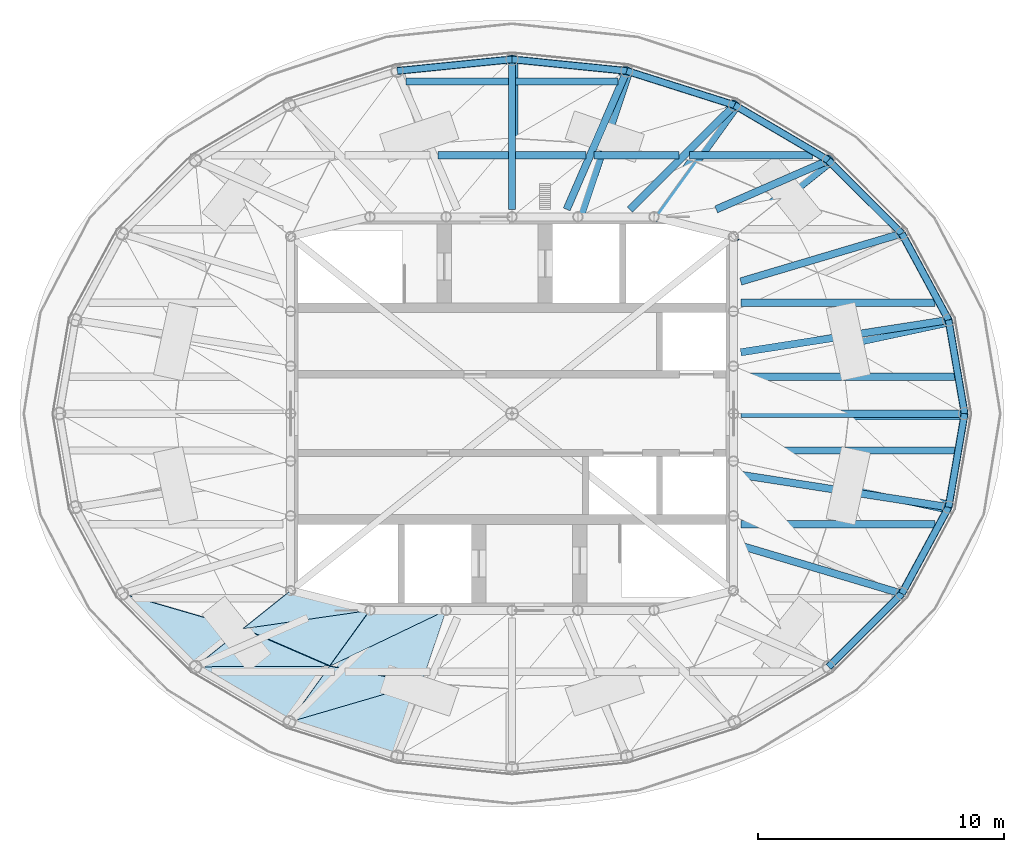
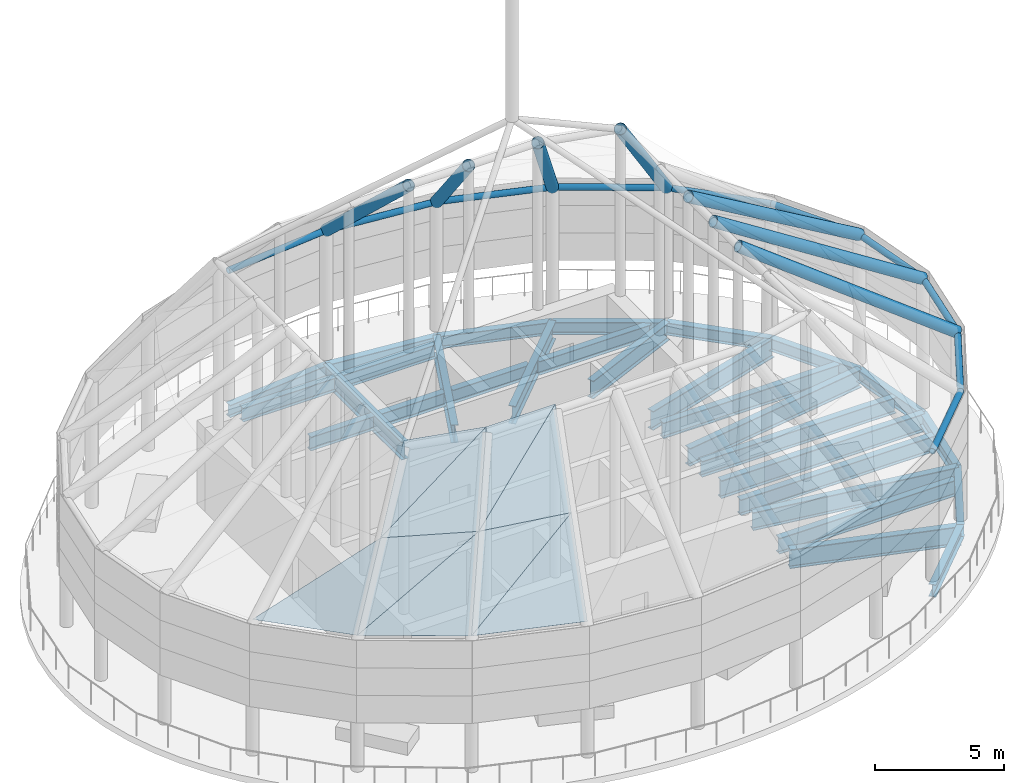
# One storey, part 3 of 8: 46 beams, 9 plates.
"""IFC4 building model written with IfcOpenShell, lengths in metres."""

from ifc_helpers import new_model, si_unit, direction, frame, origin, origin_2d, place, context, subcontext, project, spatial, polyline, hollow_circle, i_section, outline, extrude, material, layer, layer_set, material_profile, profile_set, type_object, element, save


model = new_model("IFC4")

# Units and contexts
model_context = context("Model", 3, precision=1e-05, world=origin(), true_north=direction((0.0, 1.0)))
body_context = subcontext(model_context, "Body", "Model", "MODEL_VIEW")
ifc_project = project(units=[si_unit("LENGTHUNIT", "METRE"), si_unit("AREAUNIT", "SQUARE_METRE"), si_unit("VOLUMEUNIT", "CUBIC_METRE"), si_unit("PLANEANGLEUNIT", "RADIAN"), si_unit("MASSUNIT", "GRAM", prefix="KILO")], contexts=[model_context])

# Site, building, storey
site_placement = place(None, origin())
site = spatial("IfcSite", under=ifc_project, at=site_placement, CompositionType="ELEMENT")
building_placement = place(site_placement, origin())
building = spatial("IfcBuilding", under=site, at=building_placement, Name="Hankou Lantern Tower", CompositionType="ELEMENT")
storey_placement = place(building_placement, frame((0.0, 0.0, 248.699951171875)))
storey = spatial("IfcBuildingStorey", under=building, at=storey_placement, Name="RF", CompositionType="ELEMENT", Elevation=248.699951171875)

# Beams
ifc_material_1 = material(Name="Steel Q355B", Category="steel")
ifc_material_profile_1 = material_profile(ifc_material_1, hollow_circle(Radius=0.136474609375, WallThickness=0.011962890625, at=origin_2d()), Name="CHS273x12")
ifc_profile_set_1 = profile_set([ifc_material_profile_1], Name="Steel Q355B")
beam_type_1 = type_object("IfcBeamType", Name="CP1 CANOPY RING CHS273x12", PredefinedType="BEAM", material=ifc_profile_set_1)
beam_1_placement = place(storey_placement, frame((18.39990234375, 0.0, 6.0), z_axis=(-0.169320180804, 0.98556109723, 0.0), x_axis=(-0.98556109723, -0.169320180804, 0.0)))
element("IfcBeam", 1, at=beam_1_placement, inside=storey, type_object=beam_type_1, Name="Canopy outer ring bay R01", PredefinedType="BEAM", context=body_context, shape_type="SweptSolid", body=[
    extrude(hollow_circle(Radius=0.136474609375, WallThickness=0.011962890625, at=origin_2d()), origin(), (0.0, 0.0, 1.0), 3.85986328125),
])
beam_2_placement = place(storey_placement, frame((17.746337890625, 3.80419921875, 6.0), z_axis=(-0.475556651725, 0.879685097634, 0.0), x_axis=(-0.879685097634, -0.475556651725, 0.0)))
element("IfcBeam", 2, at=beam_2_placement, inside=storey, type_object=beam_type_1, Name="Canopy outer ring bay R02", PredefinedType="BEAM", context=body_context, shape_type="SweptSolid", body=[
    extrude(hollow_circle(Radius=0.136474609375, WallThickness=0.011962890625, at=origin_2d()), origin(), (0.0, 0.0, 1.0), 3.99560546875),
])
beam_3_placement = place(storey_placement, frame((15.84619140625, 7.319091796875, 6.0), z_axis=(-0.707657475865, 0.706555657293, 0.0), x_axis=(-0.706555657293, -0.707657475865, 0.0)))
element("IfcBeam", 3, at=beam_3_placement, inside=storey, type_object=beam_type_1, Name="Canopy outer ring bay R03", PredefinedType="BEAM", context=body_context, shape_type="SweptSolid", body=[
    extrude(hollow_circle(Radius=0.136474609375, WallThickness=0.011962890625, at=origin_2d()), origin(), (0.0, 0.0, 1.0), 4.2099609375),
])
beam_4_placement = place(storey_placement, frame((12.866943359375, 10.293701171875, 6.0), z_axis=(-0.862064554074, 0.506798485207, 0.0), x_axis=(-0.506798485207, -0.862064554074, 0.0)))
element("IfcBeam", 4, at=beam_4_placement, inside=storey, type_object=beam_type_1, Name="Canopy outer ring bay R04", PredefinedType="BEAM", context=body_context, shape_type="SweptSolid", body=[
    extrude(hollow_circle(Radius=0.136474609375, WallThickness=0.011962890625, at=origin_2d()), origin(), (0.0, 0.0, 1.0), 4.428955078125),
])
beam_5_placement = place(storey_placement, frame((9.048828125, 12.538330078125, 6.0), z_axis=(-0.953150024165, 0.302497985836, 0.0), x_axis=(-0.302497985836, -0.953150024165, 0.0)))
element("IfcBeam", 5, at=beam_5_placement, inside=storey, type_object=beam_type_1, Name="Canopy outer ring bay R05", PredefinedType="BEAM", context=body_context, shape_type="SweptSolid", body=[
    extrude(hollow_circle(Radius=0.136474609375, WallThickness=0.011962890625, at=origin_2d()), origin(), (0.0, 0.0, 1.0), 4.5986328125),
])
for number, where, z_axis, x_axis, name in (
    (6, (4.66552734375, 13.929443359375, 6.0), (-0.994954369815, 0.100328470467, 0.0), (-0.100328470467, -0.994954369815, 0.0), "Canopy outer ring bay R06"),
    (7, (0.0, 14.39990234375, 6.0), (-0.994954369815, -0.100328470467, 0.0), (0.100328470467, -0.994954369815, 0.0), "Canopy outer ring bay R07"),
):
    element("IfcBeam", number, at=place(storey_placement, frame(where, z_axis=z_axis, x_axis=x_axis)), inside=storey, type_object=beam_type_1, Name=name, PredefinedType="BEAM", context=body_context, shape_type="SweptSolid", body=[
        extrude(hollow_circle(Radius=0.136474609375, WallThickness=0.011962890625, at=origin_2d()), origin(), (0.0, 0.0, 1.0), 4.689208984375),
    ])
beam_6_placement = place(storey_placement, frame((12.866943359375, -10.293701171875, 6.0), z_axis=(0.707657475865, 0.706555657293, 0.0), x_axis=(-0.706555657293, 0.707657475865, 0.0)))
element("IfcBeam", 8, at=beam_6_placement, inside=storey, type_object=beam_type_1, Name="Canopy outer ring bay R22", PredefinedType="BEAM", context=body_context, shape_type="SweptSolid", body=[
    extrude(hollow_circle(Radius=0.136474609375, WallThickness=0.011962890625, at=origin_2d()), origin(), (0.0, 0.0, 1.0), 4.2099609375),
])
beam_7_placement = place(storey_placement, frame((15.84619140625, -7.319091796875, 6.0), z_axis=(0.475556651725, 0.879685097634, 0.0), x_axis=(-0.879685097634, 0.475556651725, 0.0)))
element("IfcBeam", 9, at=beam_7_placement, inside=storey, type_object=beam_type_1, Name="Canopy outer ring bay R23", PredefinedType="BEAM", context=body_context, shape_type="SweptSolid", body=[
    extrude(hollow_circle(Radius=0.136474609375, WallThickness=0.011962890625, at=origin_2d()), origin(), (0.0, 0.0, 1.0), 3.99560546875),
])
beam_8_placement = place(storey_placement, frame((17.746337890625, -3.80419921875, 6.0), z_axis=(0.169320180804, 0.98556109723, 0.0), x_axis=(-0.98556109723, 0.169320180804, 0.0)))
element("IfcBeam", 10, at=beam_8_placement, inside=storey, type_object=beam_type_1, Name="Canopy outer ring bay R24", PredefinedType="BEAM", context=body_context, shape_type="SweptSolid", body=[
    extrude(hollow_circle(Radius=0.136474609375, WallThickness=0.011962890625, at=origin_2d()), origin(), (0.0, 0.0, 1.0), 3.85986328125),
])
ifc_material_2 = material(Name="Steel Q355B", Category="steel")
ifc_material_profile_2 = material_profile(ifc_material_2, hollow_circle(Radius=0.25390625, WallThickness=0.02001953125, at=origin_2d()), Name="CHS508x20")
ifc_profile_set_2 = profile_set([ifc_material_profile_2], Name="Steel Q355B")
beam_type_2 = type_object("IfcBeamType", Name="CR2 CANOPY RIB CHS508x20", PredefinedType="BEAM", material=ifc_profile_set_2)
beam_9_placement = place(storey_placement, frame((18.39990234375, 0.0, 6.0), z_axis=(-0.842919674529, 0.0, 0.538039424477), x_axis=(0.0, -1.0, 0.0)))
element("IfcBeam", 11, at=beam_9_placement, inside=storey, type_object=beam_type_2, Name="Canopy rib R01", PredefinedType="BEAM", context=body_context, shape_type="SweptSolid", body=[
    extrude(hollow_circle(Radius=0.25390625, WallThickness=0.02001953125, at=origin_2d()), origin(), (0.0, 0.0, 1.0), 11.151611328125),
])
beam_10_placement = place(storey_placement, frame((17.746337890625, 3.80419921875, 6.0), z_axis=(-0.812027905765, -0.174078836463, 0.55705227668), x_axis=(0.209612965099, -0.977784436807, 0.0)))
element("IfcBeam", 12, at=beam_10_placement, inside=storey, type_object=beam_type_2, Name="Canopy rib R02", PredefinedType="BEAM", context=body_context, shape_type="SweptSolid", body=[
    extrude(hollow_circle(Radius=0.25390625, WallThickness=0.02001953125, at=origin_2d()), origin(), (0.0, 0.0, 1.0), 10.77099609375),
])
beam_11_placement = place(storey_placement, frame((12.866943359375, 10.293701171875, 6.0), z_axis=(-0.497052270675, -0.397666921775, 0.771232817988), x_axis=(0.624719095634, -0.780849570372, 0.0)))
element("IfcBeam", 13, at=beam_11_placement, inside=storey, type_object=beam_type_2, Name="Canopy rib R04", PredefinedType="BEAM", context=body_context, shape_type="SweptSolid", body=[
    extrude(hollow_circle(Radius=0.25390625, WallThickness=0.02001953125, at=origin_2d()), origin(), (0.0, 0.0, 1.0), 7.77978515625),
])
beam_12_placement = place(storey_placement, frame((9.048828125, 12.538330078125, 6.0), z_axis=(-0.399186765563, -0.553106945815, 0.731247312946), x_axis=(0.810873576555, -0.58522136226, 0.0)))
element("IfcBeam", 14, at=beam_12_placement, inside=storey, type_object=beam_type_2, Name="Canopy rib R05", PredefinedType="BEAM", context=body_context, shape_type="SweptSolid", body=[
    extrude(hollow_circle(Radius=0.25390625, WallThickness=0.02001953125, at=origin_2d()), origin(), (0.0, 0.0, 1.0), 8.205078125),
])
beam_13_placement = place(storey_placement, frame((4.66552734375, 13.929443359375, 6.0), z_axis=(-0.229176173343, -0.684204268222, 0.692345867987), x_axis=(0.948221591539, -0.317609529673, 0.0)))
element("IfcBeam", 15, at=beam_13_placement, inside=storey, type_object=beam_type_2, Name="Canopy rib R06", PredefinedType="BEAM", context=body_context, shape_type="SweptSolid", body=[
    extrude(hollow_circle(Radius=0.25390625, WallThickness=0.02001953125, at=origin_2d()), origin(), (0.0, 0.0, 1.0), 8.666259765625),
])
beam_14_placement = place(storey_placement, frame((0.0, 14.39990234375, 6.0), z_axis=(0.0, -0.729531996868, 0.683946683262), x_axis=(1.0, 0.0, 0.0)))
element("IfcBeam", 16, at=beam_14_placement, inside=storey, type_object=beam_type_2, Name="Canopy rib R07", PredefinedType="BEAM", context=body_context, shape_type="SweptSolid", body=[
    extrude(hollow_circle(Radius=0.25390625, WallThickness=0.02001953125, at=origin_2d()), origin(), (0.0, 0.0, 1.0), 8.772705078125),
])
beam_15_placement = place(storey_placement, frame((17.746337890625, -3.80419921875, 6.0), z_axis=(-0.812027905765, 0.174078836463, 0.55705227668), x_axis=(-0.209612965099, -0.977784436807, 0.0)))
element("IfcBeam", 17, at=beam_15_placement, inside=storey, type_object=beam_type_2, Name="Canopy rib R24", PredefinedType="BEAM", context=body_context, shape_type="SweptSolid", body=[
    extrude(hollow_circle(Radius=0.25390625, WallThickness=0.02001953125, at=origin_2d()), origin(), (0.0, 0.0, 1.0), 10.77099609375),
])
ifc_material_3 = material(Name="Steel Q355B", Category="steel")
ifc_material_profile_3 = material_profile(ifc_material_3, i_section(OverallWidth=0.300048828125, OverallDepth=0.587890625, WebThickness=0.011962890625, FlangeThickness=0.02001953125, FilletRadius=0.01806640625, at=origin_2d()), Name="HM588x300x12x20")
ifc_profile_set_3 = profile_set([ifc_material_profile_3], Name="Steel Q355B")
beam_type_3 = type_object("IfcBeamType", Name="EB16 RING BEAM HM588x300x12x20", PredefinedType="SPANDREL", material=ifc_profile_set_3)
beam_16_placement = place(storey_placement, frame((18.39990234375, 0.0, -0.593994140625), z_axis=(-0.169320180804, 0.98556109723, 0.0), x_axis=(-0.98556109723, -0.169320180804, 0.0)))
element("IfcBeam", 18, at=beam_16_placement, inside=storey, type_object=beam_type_3, Name="Ring beam R01-R02 RF", PredefinedType="SPANDREL", context=body_context, shape_type="SweptSolid", body=[
    extrude(i_section(OverallWidth=0.300048828125, OverallDepth=0.587890625, WebThickness=0.011962890625, FlangeThickness=0.02001953125, FilletRadius=0.01806640625, at=origin_2d()), origin(), (0.0, 0.0, 1.0), 3.85986328125),
])
beam_17_placement = place(storey_placement, frame((17.746337890625, 3.80419921875, -0.593994140625), z_axis=(-0.475556651725, 0.879685097634, 0.0), x_axis=(-0.879685097634, -0.475556651725, 0.0)))
element("IfcBeam", 19, at=beam_17_placement, inside=storey, type_object=beam_type_3, Name="Ring beam R02-R03 RF", PredefinedType="SPANDREL", context=body_context, shape_type="SweptSolid", body=[
    extrude(i_section(OverallWidth=0.300048828125, OverallDepth=0.587890625, WebThickness=0.011962890625, FlangeThickness=0.02001953125, FilletRadius=0.01806640625, at=origin_2d()), origin(), (0.0, 0.0, 1.0), 3.99560546875),
])
beam_18_placement = place(storey_placement, frame((15.84619140625, 7.319091796875, -0.593994140625), z_axis=(-0.707657475865, 0.706555657293, 0.0), x_axis=(-0.706555657293, -0.707657475865, 0.0)))
element("IfcBeam", 20, at=beam_18_placement, inside=storey, type_object=beam_type_3, Name="Ring beam R03-R04 RF", PredefinedType="SPANDREL", context=body_context, shape_type="SweptSolid", body=[
    extrude(i_section(OverallWidth=0.300048828125, OverallDepth=0.587890625, WebThickness=0.011962890625, FlangeThickness=0.02001953125, FilletRadius=0.01806640625, at=origin_2d()), origin(), (0.0, 0.0, 1.0), 4.2099609375),
])
beam_19_placement = place(storey_placement, frame((12.866943359375, 10.293701171875, -0.593994140625), z_axis=(-0.862064554074, 0.506798485207, 0.0), x_axis=(-0.506798485207, -0.862064554074, 0.0)))
element("IfcBeam", 21, at=beam_19_placement, inside=storey, type_object=beam_type_3, Name="Ring beam R04-R05 RF", PredefinedType="SPANDREL", context=body_context, shape_type="SweptSolid", body=[
    extrude(i_section(OverallWidth=0.300048828125, OverallDepth=0.587890625, WebThickness=0.011962890625, FlangeThickness=0.02001953125, FilletRadius=0.01806640625, at=origin_2d()), origin(), (0.0, 0.0, 1.0), 4.428955078125),
])
beam_20_placement = place(storey_placement, frame((9.048828125, 12.538330078125, -0.593994140625), z_axis=(-0.953150024165, 0.302497985836, 0.0), x_axis=(-0.302497985836, -0.953150024165, 0.0)))
element("IfcBeam", 22, at=beam_20_placement, inside=storey, type_object=beam_type_3, Name="Ring beam R05-R06 RF", PredefinedType="SPANDREL", context=body_context, shape_type="SweptSolid", body=[
    extrude(i_section(OverallWidth=0.300048828125, OverallDepth=0.587890625, WebThickness=0.011962890625, FlangeThickness=0.02001953125, FilletRadius=0.01806640625, at=origin_2d()), origin(), (0.0, 0.0, 1.0), 4.5986328125),
])
for number, where, z_axis, x_axis, name in (
    (23, (4.66552734375, 13.929443359375, -0.593994140625), (-0.994954369815, 0.100328470467, 0.0), (-0.100328470467, -0.994954369815, 0.0), "Ring beam R06-R07 RF"),
    (24, (0.0, 14.39990234375, -0.593994140625), (-0.994954369815, -0.100328470467, 0.0), (0.100328470467, -0.994954369815, 0.0), "Ring beam R07-R08 RF"),
):
    element("IfcBeam", number, at=place(storey_placement, frame(where, z_axis=z_axis, x_axis=x_axis)), inside=storey, type_object=beam_type_3, Name=name, PredefinedType="SPANDREL", context=body_context, shape_type="SweptSolid", body=[
        extrude(i_section(OverallWidth=0.300048828125, OverallDepth=0.587890625, WebThickness=0.011962890625, FlangeThickness=0.02001953125, FilletRadius=0.01806640625, at=origin_2d()), origin(), (0.0, 0.0, 1.0), 4.689208984375),
    ])
beam_21_placement = place(storey_placement, frame((12.866943359375, -10.293701171875, -0.593994140625), z_axis=(0.707657475865, 0.706555657293, 0.0), x_axis=(-0.706555657293, 0.707657475865, 0.0)))
element("IfcBeam", 25, at=beam_21_placement, inside=storey, type_object=beam_type_3, Name="Ring beam R22-R23 RF", PredefinedType="SPANDREL", context=body_context, shape_type="SweptSolid", body=[
    extrude(i_section(OverallWidth=0.300048828125, OverallDepth=0.587890625, WebThickness=0.011962890625, FlangeThickness=0.02001953125, FilletRadius=0.01806640625, at=origin_2d()), origin(), (0.0, 0.0, 1.0), 4.2099609375),
])
beam_22_placement = place(storey_placement, frame((15.84619140625, -7.319091796875, -0.593994140625), z_axis=(0.475556651725, 0.879685097634, 0.0), x_axis=(-0.879685097634, 0.475556651725, 0.0)))
element("IfcBeam", 26, at=beam_22_placement, inside=storey, type_object=beam_type_3, Name="Ring beam R23-R24 RF", PredefinedType="SPANDREL", context=body_context, shape_type="SweptSolid", body=[
    extrude(i_section(OverallWidth=0.300048828125, OverallDepth=0.587890625, WebThickness=0.011962890625, FlangeThickness=0.02001953125, FilletRadius=0.01806640625, at=origin_2d()), origin(), (0.0, 0.0, 1.0), 3.99560546875),
])
beam_23_placement = place(storey_placement, frame((17.746337890625, -3.80419921875, -0.593994140625), z_axis=(0.169320180804, 0.98556109723, 0.0), x_axis=(-0.98556109723, 0.169320180804, 0.0)))
element("IfcBeam", 27, at=beam_23_placement, inside=storey, type_object=beam_type_3, Name="Ring beam R24-R01 RF", PredefinedType="SPANDREL", context=body_context, shape_type="SweptSolid", body=[
    extrude(i_section(OverallWidth=0.300048828125, OverallDepth=0.587890625, WebThickness=0.011962890625, FlangeThickness=0.02001953125, FilletRadius=0.01806640625, at=origin_2d()), origin(), (0.0, 0.0, 1.0), 3.85986328125),
])
ifc_material_4 = material(Name="Steel Q355B", Category="steel")
ifc_material_profile_4 = material_profile(ifc_material_4, i_section(OverallWidth=0.300048828125, OverallDepth=0.85009765625, WebThickness=0.01611328125, FlangeThickness=0.027099609375, FilletRadius=0.01806640625, at=origin_2d()), Name="HN850x300x16x27")
ifc_profile_set_4 = profile_set([ifc_material_profile_4], Name="Steel Q355B")
beam_type_4 = type_object("IfcBeamType", Name="RB12 RADIAL BEAM HN850x300x16x27", PredefinedType="BEAM", material=ifc_profile_set_4)
beam_24_placement = place(storey_placement, frame((9.300048828125, 0.0, -0.724853515625), z_axis=(1.0, 0.0, 0.0), x_axis=(0.0, 1.0, 0.0)))
element("IfcBeam", 28, at=beam_24_placement, inside=storey, type_object=beam_type_4, Name="Radial beam R01 RF", PredefinedType="BEAM", context=body_context, shape_type="SweptSolid", body=[
    extrude(i_section(OverallWidth=0.300048828125, OverallDepth=0.85009765625, WebThickness=0.01611328125, FlangeThickness=0.027099609375, FilletRadius=0.01806640625, at=origin_2d()), origin(), (0.0, 0.0, 1.0), 9.099853515625),
])
beam_25_placement = place(storey_placement, frame((9.300048828125, 2.491943359375, -0.724853515625), z_axis=(0.988145083079, 0.153522945472, 0.0), x_axis=(-0.153522945472, 0.988145083079, 0.0)))
element("IfcBeam", 29, at=beam_25_placement, inside=storey, type_object=beam_type_4, Name="Radial beam R02 RF", PredefinedType="BEAM", context=body_context, shape_type="SweptSolid", body=[
    extrude(i_section(OverallWidth=0.300048828125, OverallDepth=0.85009765625, WebThickness=0.01611328125, FlangeThickness=0.027099609375, FilletRadius=0.01806640625, at=origin_2d()), origin(), (0.0, 0.0, 1.0), 8.547607421875),
])
beam_26_placement = place(storey_placement, frame((8.300048828125, 8.300048828125, -0.724853515625), z_axis=(0.91647863232, 0.400083636882, 0.0), x_axis=(-0.400083636882, 0.91647863232, 0.0)))
element("IfcBeam", 30, at=beam_26_placement, inside=storey, type_object=beam_type_4, Name="Radial beam R04 RF", PredefinedType="BEAM", context=body_context, shape_type="SweptSolid", body=[
    extrude(i_section(OverallWidth=0.300048828125, OverallDepth=0.85009765625, WebThickness=0.01611328125, FlangeThickness=0.027099609375, FilletRadius=0.01806640625, at=origin_2d()), origin(), (0.0, 0.0, 1.0), 4.983154296875),
])
beam_27_placement = place(storey_placement, frame((4.7919921875, 8.300048828125, -0.724853515625), z_axis=(0.708649524574, 0.705560664522, 0.0), x_axis=(-0.705560664522, 0.708649524574, 0.0)))
element("IfcBeam", 31, at=beam_27_placement, inside=storey, type_object=beam_type_4, Name="Radial beam R05 RF", PredefinedType="BEAM", context=body_context, shape_type="SweptSolid", body=[
    extrude(i_section(OverallWidth=0.300048828125, OverallDepth=0.85009765625, WebThickness=0.01611328125, FlangeThickness=0.027099609375, FilletRadius=0.01806640625, at=origin_2d()), origin(), (0.0, 0.0, 1.0), 6.007080078125),
])
beam_28_placement = place(storey_placement, frame((2.223876953125, 8.300048828125, -0.724853515625), z_axis=(0.397915592164, 0.917422030209, 0.0), x_axis=(-0.917422030209, 0.397915592164, 0.0)))
element("IfcBeam", 32, at=beam_28_placement, inside=storey, type_object=beam_type_4, Name="Radial beam R06 RF", PredefinedType="BEAM", context=body_context, shape_type="SweptSolid", body=[
    extrude(i_section(OverallWidth=0.300048828125, OverallDepth=0.85009765625, WebThickness=0.01611328125, FlangeThickness=0.027099609375, FilletRadius=0.01806640625, at=origin_2d()), origin(), (0.0, 0.0, 1.0), 6.135986328125),
])
beam_29_placement = place(storey_placement, frame((0.0, 8.300048828125, -0.724853515625), z_axis=(0.0, 1.0, 0.0), x_axis=(-1.0, 0.0, 0.0)))
element("IfcBeam", 33, at=beam_29_placement, inside=storey, type_object=beam_type_4, Name="Radial beam R07 RF", PredefinedType="BEAM", context=body_context, shape_type="SweptSolid", body=[
    extrude(i_section(OverallWidth=0.300048828125, OverallDepth=0.85009765625, WebThickness=0.01611328125, FlangeThickness=0.027099609375, FilletRadius=0.01806640625, at=origin_2d()), origin(), (0.0, 0.0, 1.0), 6.099853515625),
])
beam_30_placement = place(storey_placement, frame((9.300048828125, -2.491943359375, -0.724853515625), z_axis=(0.988145083079, -0.153522945472, 0.0), x_axis=(0.153522945472, 0.988145083079, 0.0)))
element("IfcBeam", 34, at=beam_30_placement, inside=storey, type_object=beam_type_4, Name="Radial beam R24 RF", PredefinedType="BEAM", context=body_context, shape_type="SweptSolid", body=[
    extrude(i_section(OverallWidth=0.300048828125, OverallDepth=0.85009765625, WebThickness=0.01611328125, FlangeThickness=0.027099609375, FilletRadius=0.01806640625, at=origin_2d()), origin(), (0.0, 0.0, 1.0), 8.547607421875),
])
ifc_material_5 = material(Name="Steel Q355B", Category="steel")
ifc_material_profile_5 = material_profile(ifc_material_5, i_section(OverallWidth=0.300048828125, OverallDepth=0.89990234375, WebThickness=0.01611328125, FlangeThickness=0.028076171875, FilletRadius=0.01806640625, at=origin_2d()), Name="HN900x300x16x28")
ifc_profile_set_5 = profile_set([ifc_material_profile_5], Name="Steel Q355B")
beam_type_5 = type_object("IfcBeamType", Name="RB13 RADIAL BEAM HN900x300x16x28", PredefinedType="BEAM", material=ifc_profile_set_5)
for number, where, z_axis, x_axis, name in (
    (35, (9.300048828125, 5.369384765625, -0.75), (0.958394006021, 0.285448645511, 0.0), (-0.285448645511, 0.958394006021, 0.0), "Radial beam R03 RF"),
    (36, (9.300048828125, -5.369384765625, -0.75), (0.958394006021, -0.285448645511, 0.0), (0.285448645511, 0.958394006021, 0.0), "Radial beam R23 RF"),
):
    element("IfcBeam", number, at=place(storey_placement, frame(where, z_axis=z_axis, x_axis=x_axis)), inside=storey, type_object=beam_type_5, Name=name, PredefinedType="BEAM", context=body_context, shape_type="SweptSolid", body=[
        extrude(i_section(OverallWidth=0.300048828125, OverallDepth=0.89990234375, WebThickness=0.01611328125, FlangeThickness=0.028076171875, FilletRadius=0.01806640625, at=origin_2d()), origin(), (0.0, 0.0, 1.0), 6.830322265625),
    ])
ifc_material_6 = material(Name="Steel Q355B", Category="steel")
ifc_material_profile_6 = material_profile(ifc_material_6, i_section(OverallWidth=0.300048828125, OverallDepth=0.75, WebThickness=0.012939453125, FlangeThickness=0.02392578125, FilletRadius=0.01806640625, at=origin_2d()), Name="HN750x300x13x24")
ifc_profile_set_6 = profile_set([ifc_material_profile_6], Name="Steel Q355B")
beam_type_6 = type_object("IfcBeamType", Name="SB10 SECONDARY BEAM HN750x300x13x24", PredefinedType="JOIST", material=ifc_profile_set_6)
beam_31_placement = place(storey_placement, frame((9.300048828125, -4.5, -0.675048828125), z_axis=(1.0, 0.0, 0.0), x_axis=(0.0, 1.0, 0.0)))
element("IfcBeam", 37, at=beam_31_placement, inside=storey, type_object=beam_type_6, Name="Floor joist J010 RF", PredefinedType="JOIST", context=body_context, shape_type="SweptSolid", body=[
    extrude(i_section(OverallWidth=0.300048828125, OverallDepth=0.75, WebThickness=0.012939453125, FlangeThickness=0.02392578125, FilletRadius=0.01806640625, at=origin_2d()), origin(), (0.0, 0.0, 1.0), 7.8994140625),
])
for number, where, z_axis, x_axis, name in (
    (38, (9.300048828125, -1.5, -0.675048828125), (1.0, 0.0, 0.0), (0.0, 1.0, 0.0), "Floor joist J012 RF"),
    (39, (9.300048828125, 1.5, -0.675048828125), (1.0, 0.0, 0.0), (0.0, 1.0, 0.0), "Floor joist J014 RF"),
):
    element("IfcBeam", number, at=place(storey_placement, frame(where, z_axis=z_axis, x_axis=x_axis)), inside=storey, type_object=beam_type_6, Name=name, PredefinedType="JOIST", context=body_context, shape_type="SweptSolid", body=[
        extrude(i_section(OverallWidth=0.300048828125, OverallDepth=0.75, WebThickness=0.012939453125, FlangeThickness=0.02392578125, FilletRadius=0.01806640625, at=origin_2d()), origin(), (0.0, 0.0, 1.0), 8.68994140625),
    ])
beam_32_placement = place(storey_placement, frame((9.300048828125, 4.5, -0.675048828125), z_axis=(1.0, 0.0, 0.0), x_axis=(0.0, 1.0, 0.0)))
element("IfcBeam", 40, at=beam_32_placement, inside=storey, type_object=beam_type_6, Name="Floor joist J016 RF", PredefinedType="JOIST", context=body_context, shape_type="SweptSolid", body=[
    extrude(i_section(OverallWidth=0.300048828125, OverallDepth=0.75, WebThickness=0.012939453125, FlangeThickness=0.02392578125, FilletRadius=0.01806640625, at=origin_2d()), origin(), (0.0, 0.0, 1.0), 7.8994140625),
])
ifc_material_7 = material(Name="Steel Q355B", Category="steel")
ifc_material_profile_7 = material_profile(ifc_material_7, i_section(OverallWidth=0.300048828125, OverallDepth=0.64990234375, WebThickness=0.010986328125, FlangeThickness=0.01708984375, FilletRadius=0.01806640625, at=origin_2d()), Name="HN650x300x11x17")
ifc_profile_set_7 = profile_set([ifc_material_profile_7], Name="Steel Q355B")
beam_type_7 = type_object("IfcBeamType", Name="SB8 SECONDARY BEAM HN650x300x11x17", PredefinedType="JOIST", material=ifc_profile_set_7)
for number, where, z_axis, x_axis, name in (
    (41, (-3.0146484375, 10.5, -0.625), (1.0, 0.0, 0.0), (0.0, 1.0, 0.0), "Floor joist J021 RF"),
    (42, (0.14990234375, 10.5, -0.625), (1.0, 0.0, 0.0), (0.0, 1.0, 0.0), "Floor joist J022 RF"),
):
    element("IfcBeam", number, at=place(storey_placement, frame(where, z_axis=z_axis, x_axis=x_axis)), inside=storey, type_object=beam_type_7, Name=name, PredefinedType="JOIST", context=body_context, shape_type="SweptSolid", body=[
        extrude(i_section(OverallWidth=0.300048828125, OverallDepth=0.64990234375, WebThickness=0.010986328125, FlangeThickness=0.01708984375, FilletRadius=0.01806640625, at=origin_2d()), origin(), (0.0, 0.0, 1.0), 2.86474609375),
    ])
beam_33_placement = place(storey_placement, frame((3.341552734375, 10.5, -0.625), z_axis=(1.0, 0.0, 0.0), x_axis=(0.0, 1.0, 0.0)))
element("IfcBeam", 43, at=beam_33_placement, inside=storey, type_object=beam_type_7, Name="Floor joist J023 RF", PredefinedType="JOIST", context=body_context, shape_type="SweptSolid", body=[
    extrude(i_section(OverallWidth=0.300048828125, OverallDepth=0.64990234375, WebThickness=0.010986328125, FlangeThickness=0.01708984375, FilletRadius=0.01806640625, at=origin_2d()), origin(), (0.0, 0.0, 1.0), 3.447509765625),
])
beam_34_placement = place(storey_placement, frame((7.214111328125, 10.5, -0.625), z_axis=(1.0, 0.0, 0.0), x_axis=(0.0, 1.0, 0.0)))
element("IfcBeam", 44, at=beam_34_placement, inside=storey, type_object=beam_type_7, Name="Floor joist J024 RF", PredefinedType="JOIST", context=body_context, shape_type="SweptSolid", body=[
    extrude(i_section(OverallWidth=0.300048828125, OverallDepth=0.64990234375, WebThickness=0.010986328125, FlangeThickness=0.01708984375, FilletRadius=0.01806640625, at=origin_2d()), origin(), (0.0, 0.0, 1.0), 5.005859375),
])
for number, where, z_axis, x_axis, name in (
    (45, (-4.315673828125, 13.5, -0.625), (1.0, 0.0, 0.0), (0.0, 1.0, 0.0), "Floor joist J025 RF"),
    (46, (0.14990234375, 13.5, -0.625), (1.0, 0.0, 0.0), (0.0, 1.0, 0.0), "Floor joist J026 RF"),
):
    element("IfcBeam", number, at=place(storey_placement, frame(where, z_axis=z_axis, x_axis=x_axis)), inside=storey, type_object=beam_type_7, Name=name, PredefinedType="JOIST", context=body_context, shape_type="SweptSolid", body=[
        extrude(i_section(OverallWidth=0.300048828125, OverallDepth=0.64990234375, WebThickness=0.010986328125, FlangeThickness=0.01708984375, FilletRadius=0.01806640625, at=origin_2d()), origin(), (0.0, 0.0, 1.0), 4.165771484375),
    ])

# Plates
ifc_material_8 = material(Name="Glass, dark grey tinted laminated", Category="glass")
ifc_layer = layer(ifc_material_8, 0.030029296875)
ifc_layer_set = layer_set([ifc_layer], Name="Glass, dark grey tinted laminated")
plate_type = type_object("IfcPlateType", Name="GL1 CANOPY GLASS PANEL", PredefinedType="USERDEFINED", material=ifc_layer_set)
plate_1_placement = place(storey_placement, frame((-15.84619140625, -7.319091796875, 6.300048828125), z_axis=(-0.546296302007, -0.547148208584, 0.634183875747), x_axis=(0.707657475865, -0.706555657293, 0.0)))
element("IfcPlate", 47, at=plate_1_placement, inside=storey, type_object=plate_type, Name="Canopy glass R15 panel 1", ObjectType="CANOPY GLAZING", PredefinedType="USERDEFINED", context=body_context, shape_type="SweptSolid", body=[
    extrude(outline(polyline([(0.0, 0.0), (4.210014234969568, 0.0), (4.4852102571303485, 3.8800683147442587), (0.0, 0.0)])), origin(), (0.0, 0.0, -1.0), 0.030029296875),
])
plate_2_placement = place(storey_placement, frame((-12.866943359375, -10.293701171875, 6.300048828125), z_axis=(-0.371358340341, -0.631680779268, 0.680494214643), x_axis=(0.862064554074, -0.506798485207, 0.0)))
element("IfcPlate", 48, at=plate_2_placement, inside=storey, type_object=plate_type, Name="Canopy glass R16 panel 1", ObjectType="CANOPY GLAZING", PredefinedType="USERDEFINED", context=body_context, shape_type="SweptSolid", body=[
    extrude(outline(polyline([(0.0, 0.0), (4.42903633646638, 2.220446049250313e-16), (4.690887876313194, 4.094146516882137), (0.0, 0.0)])), origin(), (0.0, 0.0, -1.0), 0.030029296875),
])
plate_3_placement = place(storey_placement, frame((-12.866943359375, -10.293701171875, 6.300048828125), z_axis=(-0.320598601065, -0.741756994254, 0.589078176874), x_axis=(0.876256357512, 0.003921136428, 0.481829244244)))
element("IfcPlate", 49, at=plate_3_placement, inside=storey, type_object=plate_type, Name="Canopy glass R16 panel 2", ObjectType="CANOPY GLAZING", PredefinedType="USERDEFINED", context=body_context, shape_type="SweptSolid", body=[
    extrude(outline(polyline([(0.0, 0.0), (6.226272140682597, 2.220446049250313e-16), (3.1456631271512743, 2.288114172889179), (0.0, 0.0)])), origin(), (0.0, 0.0, -1.0), 0.030029296875),
])
plate_4_placement = place(storey_placement, frame((-10.93359375, -8.746826171875, 9.300048828125), z_axis=(-0.293297477888, -0.678591406505, 0.673416878673), x_axis=(0.917929686015, -0.396743105211, 0.0)))
element("IfcPlate", 50, at=plate_4_placement, inside=storey, type_object=plate_type, Name="Canopy glass R16 panel 3", ObjectType="CANOPY GLAZING", PredefinedType="USERDEFINED", context=body_context, shape_type="SweptSolid", body=[
    extrude(outline(polyline([(0.0, 0.0), (3.837397342265557, 1.1102230246251565e-16), (4.4403624718672585, 4.058095978885223), (0.0, 0.0)])), origin(), (0.0, 0.0, -1.0), 0.030029296875),
])
plate_5_placement = place(storey_placement, frame((-10.93359375, -8.746826171875, 9.300048828125), z_axis=(-0.201271819582, -0.811720588221, 0.548269405767), x_axis=(0.857825185258, 0.124152500081, 0.498720471066)))
element("IfcPlate", 51, at=plate_5_placement, inside=storey, type_object=plate_type, Name="Canopy glass R16 panel 4", ObjectType="CANOPY GLAZING", PredefinedType="USERDEFINED", context=body_context, shape_type="SweptSolid", body=[
    extrude(outline(polyline([(0.0, 0.0), (6.015393740679951, 4.440892098500626e-16), (3.346895228568505, 1.9823973831322108), (0.0, 0.0)])), origin(), (0.0, 0.0, -1.0), 0.030029296875),
])
plate_6_placement = place(storey_placement, frame((-9.048828125, -12.538330078125, 6.300048828125), z_axis=(-0.20944165984, -0.659936040849, 0.721539058618), x_axis=(0.953150024165, -0.302497985836, 0.0)))
element("IfcPlate", 52, at=plate_6_placement, inside=storey, type_object=plate_type, Name="Canopy glass R17 panel 1", ObjectType="CANOPY GLAZING", PredefinedType="USERDEFINED", context=body_context, shape_type="SweptSolid", body=[
    extrude(outline(polyline([(0.0, 0.0), (4.598752211217408, 0.0), (4.64852729869685, 4.332920003602879), (0.0, 0.0)])), origin(), (0.0, 0.0, -1.0), 0.030029296875),
])
plate_7_placement = place(storey_placement, frame((-9.048828125, -12.538330078125, 6.300048828125), z_axis=(-0.139765497061, -0.751533996486, 0.644718743296), x_axis=(0.846052885811, 0.247645849693, 0.472086906768)))
element("IfcPlate", 53, at=plate_7_placement, inside=storey, type_object=plate_type, Name="Canopy glass R17 panel 2", ObjectType="CANOPY GLAZING", PredefinedType="USERDEFINED", context=body_context, shape_type="SweptSolid", body=[
    extrude(outline(polyline([(0.0, 0.0), (6.354762135938041, -4.440892098500626e-16), (3.3637566395079412, 2.3485619431440448), (0.0, 0.0)])), origin(), (0.0, 0.0, -1.0), 0.030029296875),
])
plate_8_placement = place(storey_placement, frame((-7.4111328125, -10.269287109375, 9.300048828125), z_axis=(-0.127231077373, -0.684135083878, 0.718172291277), x_axis=(0.983142933819, -0.182838649309, 0.0)))
element("IfcPlate", 54, at=plate_8_placement, inside=storey, type_object=plate_type, Name="Canopy glass R17 panel 3", ObjectType="CANOPY GLAZING", PredefinedType="USERDEFINED", context=body_context, shape_type="SweptSolid", body=[
    extrude(outline(polyline([(0.0, 0.0), (3.8028748441750744, 0.0), (4.237013660894918, 4.3111789922224), (0.0, 0.0)])), origin(), (0.0, 0.0, -1.0), 0.030029296875),
])
plate_9_placement = place(storey_placement, frame((-7.4111328125, -10.269287109375, 9.300048828125), z_axis=(0.0, -0.797532135445, 0.603276464759), x_axis=(0.782781556993, 0.375416881082, 0.496301520681)))
element("IfcPlate", 55, at=plate_9_placement, inside=storey, type_object=plate_type, Name="Canopy glass R17 panel 4", ObjectType="CANOPY GLAZING", PredefinedType="USERDEFINED", context=body_context, shape_type="SweptSolid", body=[
    extrude(outline(polyline([(0.0, 0.0), (6.0447124882487095, -4.440892098500626e-16), (3.6227909375237473, 1.9253819736238895), (0.0, 0.0)])), origin(), (0.0, 0.0, -1.0), 0.030029296875),
])

save(model, "model.ifc")
